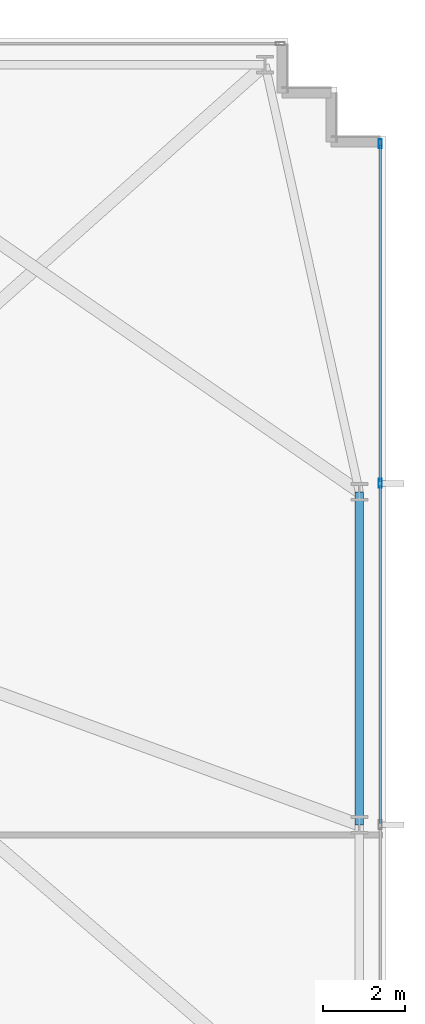
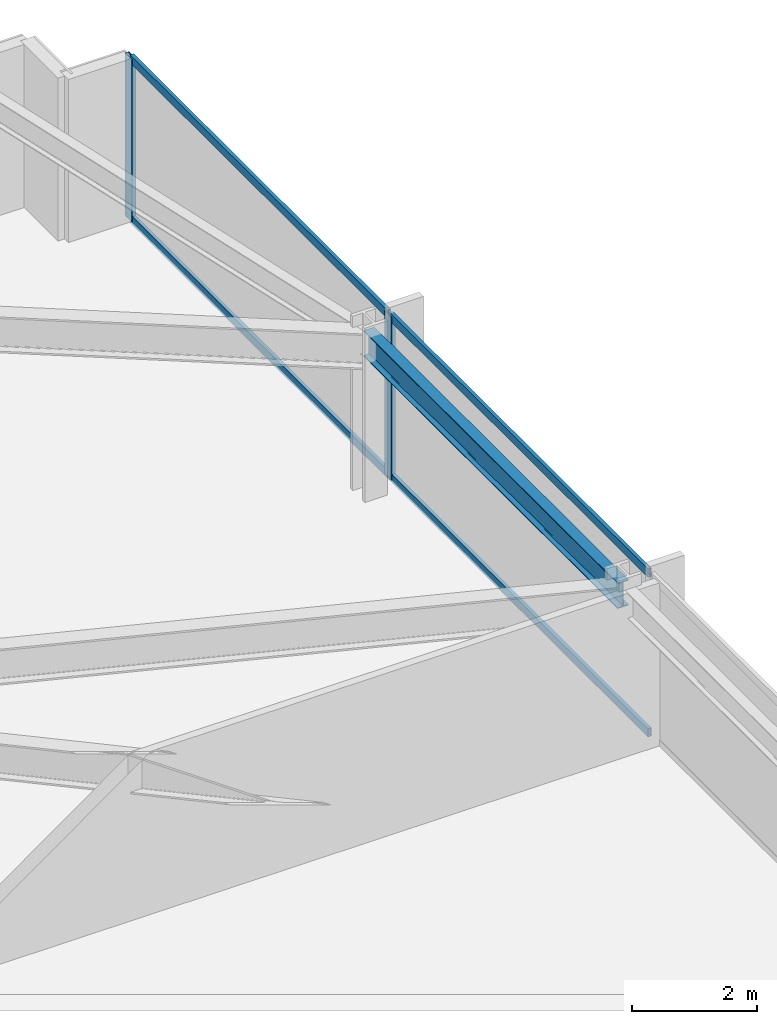
# One storey, part 23 of 32: 6 members, 1 beam, 1 element without a shape of its own.
"""IFC4 building model written with IfcOpenShell, lengths in metres."""

from ifc_helpers import new_model, si_unit, direction, frame, origin, origin_2d, place, context, subcontext, project, spatial, hollow_rectangle, i_section, extrude, material, material_profile, profile_set, type_object, element, aggregate, save


model = new_model("IFC4")

# Units and contexts
model_context = context("Model", 3, precision=1e-05, world=origin(), true_north=direction((0.0, 1.0)))
body_context = subcontext(model_context, "Body", "Model", "MODEL_VIEW")
ifc_project = project(units=[si_unit("LENGTHUNIT", "METRE"), si_unit("AREAUNIT", "SQUARE_METRE"), si_unit("VOLUMEUNIT", "CUBIC_METRE"), si_unit("PLANEANGLEUNIT", "RADIAN"), si_unit("MASSUNIT", "GRAM", prefix="KILO")], contexts=[model_context])

# Site, building, storey
site_placement = place(None, origin())
site = spatial("IfcSite", under=ifc_project, at=site_placement, CompositionType="ELEMENT")
building_placement = place(site_placement, origin())
building = spatial("IfcBuilding", under=site, at=building_placement, Name="Yelkora Congress Tower", CompositionType="ELEMENT")
storey_placement = place(building_placement, frame((0.0, 0.0, 67.800048828125)))
storey = spatial("IfcBuildingStorey", under=building, at=storey_placement, Name="L17", CompositionType="ELEMENT", Elevation=67.800048828125)

# Beam
ifc_material_1 = material(Name="Steel S355J2", Category="steel")
ifc_material_profile_1 = material_profile(ifc_material_1, i_section(OverallWidth=0.199951171875, OverallDepth=0.5, WebThickness=0.01025390625, FlangeThickness=0.01611328125, FilletRadius=0.02099609375, at=origin_2d()), Name="IPE 500")
ifc_profile_set_1 = profile_set([ifc_material_profile_1], Name="Steel S355J2")
beam_type = type_object("IfcBeamType", Name="BM-SPAN-IPE500", PredefinedType="SPANDREL", material=ifc_profile_set_1)
beam_placement = place(storey_placement, frame((70.14990234375, 29.39990234375, 2.929931640625), z_axis=(0.0, 1.0, 0.0), x_axis=(-1.0, 0.0, 0.0)))
element("IfcBeam", 1, at=beam_placement, inside=storey, type_object=beam_type, Name="L17 Perimeter Beam 12", PredefinedType="SPANDREL", context=body_context, shape_type="SweptSolid", body=[
    extrude(i_section(OverallWidth=0.199951171875, OverallDepth=0.5, WebThickness=0.01025390625, FlangeThickness=0.01611328125, FilletRadius=0.02099609375, at=origin_2d()), origin(), (0.0, 0.0, 1.0), 8.125),
])

# Curtain wall, members
ifc_material_2 = material(Name="Anodised aluminium and insulated glass", Category="aluminium")
curtain_wall_type = type_object("IfcCurtainWallType", Name="CW-SYS-B1", PredefinedType="NOTDEFINED", material=ifc_material_2)
curtain_wall_placement = place(storey_placement, origin())
curtain_wall = element("IfcCurtainWall", 2, at=curtain_wall_placement, inside=storey, type_object=curtain_wall_type, Name="L17 Unitised Curtain Wall 15", PredefinedType="NOTDEFINED")
ifc_material_3 = material(Name="Anodised aluminium 6063-T6", Category="aluminium")
ifc_material_profile_2 = material_profile(ifc_material_3, hollow_rectangle(XDim=0.074951171875, YDim=0.219970703125, WallThickness=0.0048828125, at=origin_2d()), Name="ALU 75x220x5")
ifc_profile_set_2 = profile_set([ifc_material_profile_2], Name="Anodised aluminium 6063-T6")
member_type_1 = type_object("IfcMemberType", Name="MEM-ML-B1", PredefinedType="MULLION", material=ifc_profile_set_2)
member_1_placement = place(storey_placement, frame((70.659912109375, 46.0224609375, 0.0), z_axis=(0.0, 0.0, 1.0), x_axis=(1.0, 0.0, 0.0)))
member_1 = element("IfcMember", 3, at=member_1_placement, type_object=member_type_1, Name="CW-B1 mullion 1", PredefinedType="MULLION", context=body_context, shape_type="SweptSolid", body=[
    extrude(hollow_rectangle(XDim=0.074951171875, YDim=0.219970703125, WallThickness=0.0048828125, at=origin_2d()), origin(), (0.0, 0.0, 1.0), 3.179931640625),
])
member_2_placement = place(storey_placement, frame((70.659912109375, 37.72998046875, 0.0), z_axis=(0.0, 0.0, 1.0), x_axis=(1.0, 0.0, 0.0)))
member_2 = element("IfcMember", 4, at=member_2_placement, type_object=member_type_1, Name="CW-B1 mullion 2", PredefinedType="MULLION", context=body_context, shape_type="SweptSolid", body=[
    extrude(hollow_rectangle(XDim=0.074951171875, YDim=0.219970703125, WallThickness=0.0048828125, at=origin_2d()), origin(), (0.0, 0.0, 1.0), 3.179931640625),
])
ifc_material_profile_3 = material_profile(ifc_material_3, hollow_rectangle(XDim=0.06494140625, YDim=0.159912109375, WallThickness=0.00390625, at=origin_2d()), Name="ALU 65x160x4")
ifc_profile_set_3 = profile_set([ifc_material_profile_3], Name="Anodised aluminium 6063-T6")
member_type_2 = type_object("IfcMemberType", Name="MEM-TR-B1", PredefinedType="USERDEFINED", material=ifc_profile_set_3)
member_3_placement = place(storey_placement, frame((70.659912109375, 45.985107421875, 0.032470703125), z_axis=(0.0, -1.0, 0.0), x_axis=(1.0, 0.0, 0.0)))
member_3 = element("IfcMember", 5, at=member_3_placement, type_object=member_type_2, Name="CW-B1 transom 1.1", ObjectType="TRANSOM", PredefinedType="USERDEFINED", context=body_context, shape_type="SweptSolid", body=[
    extrude(hollow_rectangle(XDim=0.06494140625, YDim=0.159912109375, WallThickness=0.00390625, at=origin_2d()), origin(), (0.0, 0.0, 1.0), 8.217529296875),
])
member_4_placement = place(storey_placement, frame((70.659912109375, 45.985107421875, 3.1474609375), z_axis=(0.0, -1.0, 0.0), x_axis=(1.0, 0.0, 0.0)))
member_4 = element("IfcMember", 6, at=member_4_placement, type_object=member_type_2, Name="CW-B1 transom 1.2", ObjectType="TRANSOM", PredefinedType="USERDEFINED", context=body_context, shape_type="SweptSolid", body=[
    extrude(hollow_rectangle(XDim=0.06494140625, YDim=0.159912109375, WallThickness=0.00390625, at=origin_2d()), origin(), (0.0, 0.0, 1.0), 8.217529296875),
])
member_5_placement = place(storey_placement, frame((70.659912109375, 37.6923828125, 0.032470703125), z_axis=(0.0, -1.0, 0.0), x_axis=(1.0, 0.0, 0.0)))
member_5 = element("IfcMember", 7, at=member_5_placement, type_object=member_type_2, Name="CW-B1 transom 2.1", ObjectType="TRANSOM", PredefinedType="USERDEFINED", context=body_context, shape_type="SweptSolid", body=[
    extrude(hollow_rectangle(XDim=0.06494140625, YDim=0.159912109375, WallThickness=0.00390625, at=origin_2d()), origin(), (0.0, 0.0, 1.0), 8.2548828125),
])
member_6_placement = place(storey_placement, frame((70.659912109375, 37.6923828125, 3.1474609375), z_axis=(0.0, -1.0, 0.0), x_axis=(1.0, 0.0, 0.0)))
member_6 = element("IfcMember", 8, at=member_6_placement, type_object=member_type_2, Name="CW-B1 transom 2.2", ObjectType="TRANSOM", PredefinedType="USERDEFINED", context=body_context, shape_type="SweptSolid", body=[
    extrude(hollow_rectangle(XDim=0.06494140625, YDim=0.159912109375, WallThickness=0.00390625, at=origin_2d()), origin(), (0.0, 0.0, 1.0), 8.2548828125),
])
aggregate(curtain_wall, [member_1, member_2, member_3, member_4, member_5, member_6])

save(model, "model.ifc")
